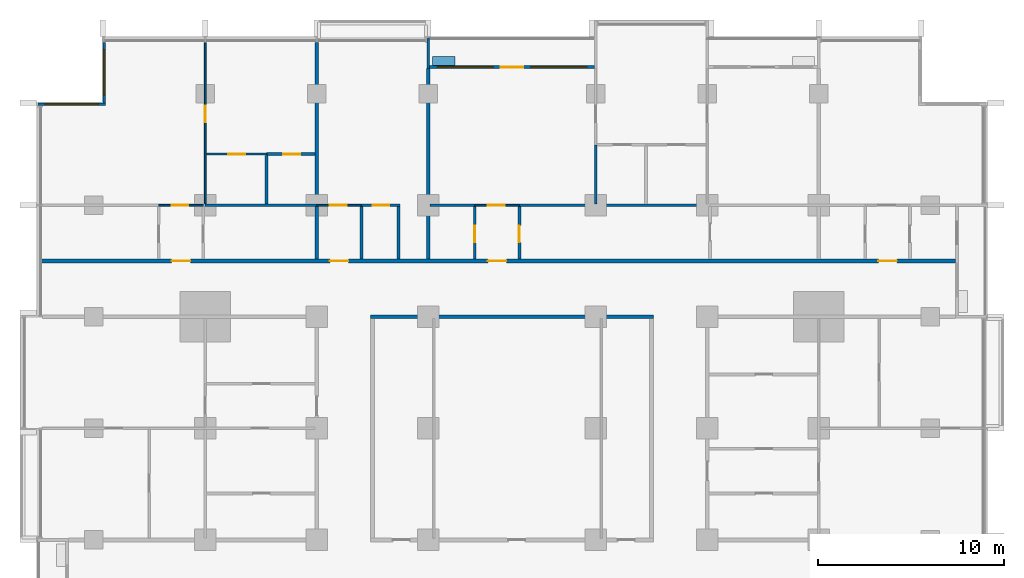
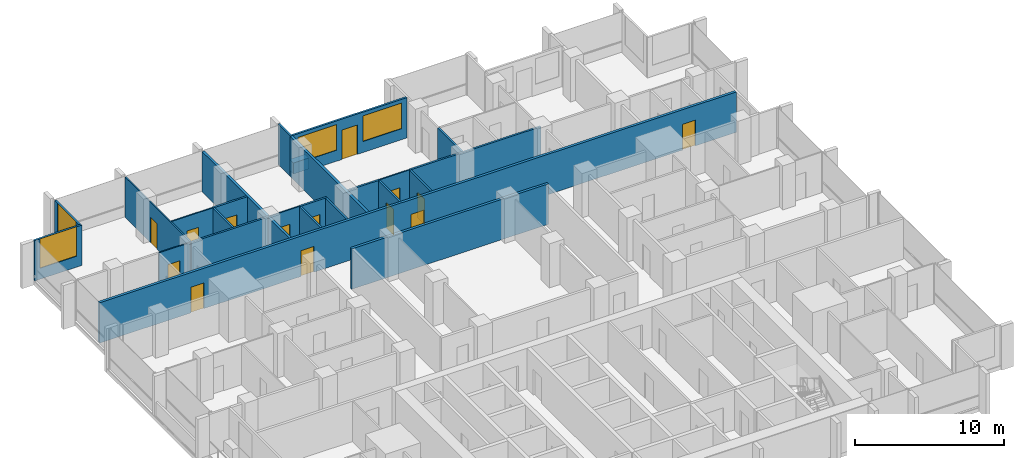
# One storey, part 11 of 19: 26 walls, 14 doors, 4 windows, 18 openings.
"""IFC4 building model written with IfcOpenShell, lengths in metres."""

from ifc_helpers import new_model, si_unit, direction, frame, frame_2d, origin, place, context, subcontext, project, spatial, rectangle, extrude, material, layer, layer_set, type_object, element, fill, save


model = new_model("IFC4")

# Units and contexts
model_context = context("Model", 3, precision=1e-05, world=origin(), true_north=direction((0.0, 1.0)))
body_context = subcontext(model_context, "Body", "Model", "MODEL_VIEW")
ifc_project = project(units=[si_unit("LENGTHUNIT", "METRE"), si_unit("AREAUNIT", "SQUARE_METRE"), si_unit("VOLUMEUNIT", "CUBIC_METRE"), si_unit("PLANEANGLEUNIT", "RADIAN"), si_unit("MASSUNIT", "GRAM", prefix="KILO")], contexts=[model_context])

# Site, building, storey
site_placement = place(None, origin())
site = spatial("IfcSite", under=ifc_project, at=site_placement, CompositionType="ELEMENT")
building_placement = place(site_placement, origin())
building = spatial("IfcBuilding", under=site, at=building_placement, Name="Finial Court Residences", CompositionType="ELEMENT")
storey_placement = place(building_placement, frame((0.0, 0.0, 88.300048828125)))
storey = spatial("IfcBuildingStorey", under=building, at=storey_placement, Name="L21", CompositionType="ELEMENT", Elevation=88.300048828125)

# Walls
ifc_material_1 = material(Name="Gypsum board")
ifc_layer_1 = layer(ifc_material_1, 0.02490234375)
ifc_material_2 = material(Name="Acoustic mineral wool in double frame")
ifc_layer_2 = layer(ifc_material_2, 0.14990234375)
ifc_layer_3 = layer(ifc_material_1, 0.02490234375)
ifc_layer_set_1 = layer_set([ifc_layer_1, ifc_layer_2, ifc_layer_3], Name="Acoustic party wall 200, 1 hour")
wall_type_1 = type_object("IfcWallType", Name="Acoustic party wall 200, 1 hour", PredefinedType="PARTITIONING", material=ifc_layer_set_1)
wall_1_placement = place(storey_placement, frame((-10.5, 10.60009765625, 0.0), z_axis=(0.0, 0.0, 1.0), x_axis=(0.0, 1.0, 0.0)))
element("IfcWall", 1, at=wall_1_placement, inside=storey, type_object=wall_type_1, Name="Partition L21-055", PredefinedType="PARTITIONING", context=body_context, shape_type="SweptSolid", body=[
    extrude(rectangle(XDim=2.824951171875, YDim=0.199951171875, at=frame_2d((1.41259765625, 0.0))), origin(), (0.0, 0.0, 1.0), 3.300048828125),
])
wall_2_placement = place(storey_placement, frame((-10.5, 13.574951171875, 0.0), z_axis=(0.0, 0.0, 1.0), x_axis=(0.0, 1.0, 0.0)))
element("IfcWall", 2, at=wall_2_placement, inside=storey, type_object=wall_type_1, Name="Partition L21-056", PredefinedType="PARTITIONING", context=body_context, shape_type="SweptSolid", body=[
    extrude(rectangle(XDim=8.675048828125, YDim=0.199951171875, at=frame_2d((4.33740234375, 0.0))), origin(), (0.0, 0.0, 1.0), 3.300048828125),
])
wall_3_placement = place(storey_placement, frame((-4.5, 10.60009765625, 0.0), z_axis=(0.0, 0.0, 1.0), x_axis=(0.0, 1.0, 0.0)))
element("IfcWall", 3, at=wall_3_placement, inside=storey, type_object=wall_type_1, Name="Partition L21-060", PredefinedType="PARTITIONING", context=body_context, shape_type="SweptSolid", body=[
    extrude(rectangle(XDim=10.25, YDim=0.199951171875, at=frame_2d((5.125, 0.0))), origin(), (0.0, 0.0, 1.0), 3.300048828125),
])
ifc_layer_4 = layer(ifc_material_1, 0.02490234375)
ifc_layer_5 = layer(ifc_material_2, 0.14990234375)
ifc_layer_6 = layer(ifc_material_1, 0.02490234375)
ifc_layer_set_2 = layer_set([ifc_layer_4, ifc_layer_5, ifc_layer_6], Name="Corridor wall 200, 1 hour")
wall_type_2 = type_object("IfcWallType", Name="Corridor wall 200, 1 hour", PredefinedType="PARTITIONING", material=ifc_layer_set_2)
wall_4_placement = place(storey_placement, frame((-7.60009765625, 7.5, 0.0), z_axis=(0.0, 0.0, 1.0), x_axis=(1.0, 0.0, 0.0)))
element("IfcWall", 4, at=wall_4_placement, inside=storey, type_object=wall_type_2, Name="Partition L21-023", PredefinedType="PARTITIONING", context=body_context, shape_type="SweptSolid", body=[
    extrude(rectangle(XDim=15.2001953125, YDim=0.199951171875, at=frame_2d((7.60009765625, 0.0))), origin(), (0.0, 0.0, 1.0), 3.300048828125),
])

# Wall, openings, doors
wall_5_placement = place(storey_placement, frame((-25.35009765625, 10.5, 0.0), z_axis=(0.0, 0.0, 1.0), x_axis=(1.0, 0.0, 0.0)))
wall_5 = element("IfcWall", 5, at=wall_5_placement, inside=storey, type_object=wall_type_2, Name="Partition L21-025", PredefinedType="PARTITIONING", context=body_context, shape_type="SweptSolid", body=[
    extrude(rectangle(XDim=49.2001953125, YDim=0.199951171875, at=frame_2d((24.60009765625, 0.0))), origin(), (0.0, 0.0, 1.0), 3.300048828125),
])
opening_1_placement = place(wall_5_placement, frame((7.050048828125, 0.0, 0.0)))
opening_1 = element("IfcOpeningElement", 6, at=opening_1_placement, cuts=wall_5, Name="Opening L21-D018", PredefinedType="OPENING", context=body_context, shape_type="SweptSolid", body=[
    extrude(rectangle(XDim=1.0, YDim=2.10009765625, at=frame_2d((0.5, 1.050048828125))), frame((0.0, 0.10986328125, 0.0), z_axis=(0.0, -1.0, 0.0), x_axis=(1.0, 0.0, 0.0)), (0.0, 0.0, 1.0), 0.219970703125),
])
opening_2_placement = place(wall_5_placement, frame((15.550048828125, 0.0, 0.0)))
opening_2 = element("IfcOpeningElement", 7, at=opening_2_placement, cuts=wall_5, Name="Opening L21-D019", PredefinedType="OPENING", context=body_context, shape_type="SweptSolid", body=[
    extrude(rectangle(XDim=1.0, YDim=2.10009765625, at=frame_2d((0.5, 1.050048828125))), frame((0.0, 0.10986328125, 0.0), z_axis=(0.0, -1.0, 0.0), x_axis=(1.0, 0.0, 0.0)), (0.0, 0.0, 1.0), 0.219970703125),
])
opening_3_placement = place(wall_5_placement, frame((24.050048828125, 0.0, 0.0)))
opening_3 = element("IfcOpeningElement", 8, at=opening_3_placement, cuts=wall_5, Name="Opening L21-D020", PredefinedType="OPENING", context=body_context, shape_type="SweptSolid", body=[
    extrude(rectangle(XDim=1.0, YDim=2.10009765625, at=frame_2d((0.5, 1.050048828125))), frame((0.0, 0.10986328125, 0.0), z_axis=(0.0, -1.0, 0.0), x_axis=(1.0, 0.0, 0.0)), (0.0, 0.0, 1.0), 0.219970703125),
])
opening_4_placement = place(wall_5_placement, frame((45.050048828125, 0.0, 0.0)))
opening_4 = element("IfcOpeningElement", 9, at=opening_4_placement, cuts=wall_5, Name="Opening L21-D021", PredefinedType="OPENING", context=body_context, shape_type="SweptSolid", body=[
    extrude(rectangle(XDim=1.0, YDim=2.10009765625, at=frame_2d((0.5, 1.050048828125))), frame((0.0, 0.10986328125, 0.0), z_axis=(0.0, -1.0, 0.0), x_axis=(1.0, 0.0, 0.0)), (0.0, 0.0, 1.0), 0.219970703125),
])
ifc_material_3 = material(Name="Timber door leaf in hollow metal frame", Category="wood")
door_type_1 = type_object("IfcDoorType", Name="Fire door set 1000 x 2100, 30 minutes", OperationType="SINGLE_SWING_LEFT", PredefinedType="DOOR", material=ifc_material_3)
door_1_placement = place(opening_1_placement, origin())
door_1 = element("IfcDoor", 10, at=door_1_placement, inside=storey, type_object=door_type_1, Name="Door L21-D018", OperationType="SINGLE_SWING_RIGHT", OverallHeight=2.10009765625, OverallWidth=1.0, PredefinedType="DOOR", context=body_context, shape_type="SweptSolid", body=[
    extrude(rectangle(XDim=1.0, YDim=2.10009765625, at=frame_2d((0.5, 1.050048828125))), frame((0.0, 0.02490234375, 0.0), z_axis=(0.0, -1.0, 0.0), x_axis=(1.0, 0.0, 0.0)), (0.0, 0.0, 1.0), 0.050048828125),
])
fill(opening_1, door_1)
door_2_placement = place(opening_2_placement, origin())
door_2 = element("IfcDoor", 11, at=door_2_placement, inside=storey, type_object=door_type_1, Name="Door L21-D019", OperationType="SINGLE_SWING_RIGHT", OverallHeight=2.10009765625, OverallWidth=1.0, PredefinedType="DOOR", context=body_context, shape_type="SweptSolid", body=[
    extrude(rectangle(XDim=1.0, YDim=2.10009765625, at=frame_2d((0.5, 1.050048828125))), frame((0.0, 0.02490234375, 0.0), z_axis=(0.0, -1.0, 0.0), x_axis=(1.0, 0.0, 0.0)), (0.0, 0.0, 1.0), 0.050048828125),
])
fill(opening_2, door_2)
door_3_placement = place(opening_3_placement, origin())
door_3 = element("IfcDoor", 12, at=door_3_placement, inside=storey, type_object=door_type_1, Name="Door L21-D020", OperationType="SINGLE_SWING_RIGHT", OverallHeight=2.10009765625, OverallWidth=1.0, PredefinedType="DOOR", context=body_context, shape_type="SweptSolid", body=[
    extrude(rectangle(XDim=1.0, YDim=2.10009765625, at=frame_2d((0.5, 1.050048828125))), frame((0.0, 0.02490234375, 0.0), z_axis=(0.0, -1.0, 0.0), x_axis=(1.0, 0.0, 0.0)), (0.0, 0.0, 1.0), 0.050048828125),
])
fill(opening_3, door_3)
door_4_placement = place(opening_4_placement, origin())
door_4 = element("IfcDoor", 13, at=door_4_placement, inside=storey, type_object=door_type_1, Name="Door L21-D021", OperationType="SINGLE_SWING_LEFT", OverallHeight=2.10009765625, OverallWidth=1.0, PredefinedType="DOOR", context=body_context, shape_type="SweptSolid", body=[
    extrude(rectangle(XDim=1.0, YDim=2.10009765625, at=frame_2d((0.5, 1.050048828125))), frame((0.0, 0.02490234375, 0.0), z_axis=(0.0, -1.0, 0.0), x_axis=(1.0, 0.0, 0.0)), (0.0, 0.0, 1.0), 0.050048828125),
])
fill(opening_4, door_4)

# Wall, opening, door
ifc_layer_7 = layer(ifc_material_1, 0.012451171875)
ifc_material_4 = material(Name="Mineral wool in light-gauge frame")
ifc_layer_8 = layer(ifc_material_4, 0.074951171875)
ifc_layer_9 = layer(ifc_material_1, 0.012451171875)
ifc_layer_set_3 = layer_set([ifc_layer_7, ifc_layer_8, ifc_layer_9], Name="Gypsum board partition 100")
wall_type_3 = type_object("IfcWallType", Name="Gypsum board partition 100", PredefinedType="PARTITIONING", material=ifc_layer_set_3)
wall_6_placement = place(storey_placement, frame((-19.0, 13.5, 0.0), z_axis=(0.0, 0.0, 1.0), x_axis=(1.0, 0.0, 0.0)))
wall_6 = element("IfcWall", 14, at=wall_6_placement, inside=storey, type_object=wall_type_3, Name="Partition L21-026", PredefinedType="PARTITIONING", context=body_context, shape_type="SweptSolid", body=[
    extrude(rectangle(XDim=2.39990234375, YDim=0.10009765625, at=frame_2d((1.199951171875, 0.0))), origin(), (0.0, 0.0, 1.0), 3.300048828125),
])
opening_5_placement = place(wall_6_placement, frame((0.699951171875, 0.0, 0.0)))
opening_5 = element("IfcOpeningElement", 15, at=opening_5_placement, cuts=wall_6, Name="Opening L21-D022", PredefinedType="OPENING", context=body_context, shape_type="SweptSolid", body=[
    extrude(rectangle(XDim=0.89990234375, YDim=2.10009765625, at=frame_2d((0.449951171875, 1.050048828125))), frame((0.0, 0.06005859375, 0.0), z_axis=(0.0, -1.0, 0.0), x_axis=(1.0, 0.0, 0.0)), (0.0, 0.0, 1.0), 0.1201171875),
])
ifc_material_5 = material(Name="Timber door leaf in timber frame", Category="wood")
door_type_2 = type_object("IfcDoorType", Name="Door set 900 x 2100", OperationType="SINGLE_SWING_LEFT", PredefinedType="DOOR", material=ifc_material_5)
door_5_placement = place(opening_5_placement, origin())
door_5 = element("IfcDoor", 16, at=door_5_placement, inside=storey, type_object=door_type_2, Name="Door L21-D022", OperationType="SINGLE_SWING_RIGHT", OverallHeight=2.10009765625, OverallWidth=0.89990234375, PredefinedType="DOOR", context=body_context, shape_type="SweptSolid", body=[
    extrude(rectangle(XDim=0.89990234375, YDim=2.10009765625, at=frame_2d((0.449951171875, 1.050048828125))), frame((0.0, 0.02490234375, 0.0), z_axis=(0.0, -1.0, 0.0), x_axis=(1.0, 0.0, 0.0)), (0.0, 0.0, 1.0), 0.050048828125),
])
fill(opening_5, door_5)

wall_7_placement = place(storey_placement, frame((-10.5, 13.5, 0.0), z_axis=(0.0, 0.0, 1.0), x_axis=(1.0, 0.0, 0.0)))
wall_7 = element("IfcWall", 17, at=wall_7_placement, inside=storey, type_object=wall_type_3, Name="Partition L21-027", PredefinedType="PARTITIONING", context=body_context, shape_type="SweptSolid", body=[
    extrude(rectangle(XDim=2.39990234375, YDim=0.10009765625, at=frame_2d((1.199951171875, 0.0))), origin(), (0.0, 0.0, 1.0), 3.300048828125),
])
opening_6_placement = place(wall_7_placement, frame((0.699951171875, 0.0, 0.0)))
opening_6 = element("IfcOpeningElement", 18, at=opening_6_placement, cuts=wall_7, Name="Opening L21-D023", PredefinedType="OPENING", context=body_context, shape_type="SweptSolid", body=[
    extrude(rectangle(XDim=0.89990234375, YDim=2.10009765625, at=frame_2d((0.449951171875, 1.050048828125))), frame((0.0, 0.06005859375, 0.0), z_axis=(0.0, -1.0, 0.0), x_axis=(1.0, 0.0, 0.0)), (0.0, 0.0, 1.0), 0.1201171875),
])
door_6_placement = place(opening_6_placement, origin())
door_6 = element("IfcDoor", 19, at=door_6_placement, inside=storey, type_object=door_type_2, Name="Door L21-D023", OperationType="SINGLE_SWING_LEFT", OverallHeight=2.10009765625, OverallWidth=0.89990234375, PredefinedType="DOOR", context=body_context, shape_type="SweptSolid", body=[
    extrude(rectangle(XDim=0.89990234375, YDim=2.10009765625, at=frame_2d((0.449951171875, 1.050048828125))), frame((0.0, 0.02490234375, 0.0), z_axis=(0.0, -1.0, 0.0), x_axis=(1.0, 0.0, 0.0)), (0.0, 0.0, 1.0), 0.050048828125),
])
fill(opening_6, door_6)

wall_8_placement = place(storey_placement, frame((-2.0, 13.5, 0.0), z_axis=(0.0, 0.0, 1.0), x_axis=(1.0, 0.0, 0.0)))
wall_8 = element("IfcWall", 20, at=wall_8_placement, inside=storey, type_object=wall_type_3, Name="Partition L21-028", PredefinedType="PARTITIONING", context=body_context, shape_type="SweptSolid", body=[
    extrude(rectangle(XDim=2.39990234375, YDim=0.10009765625, at=frame_2d((1.199951171875, 0.0))), origin(), (0.0, 0.0, 1.0), 3.300048828125),
])
opening_7_placement = place(wall_8_placement, frame((0.699951171875, 0.0, 0.0)))
opening_7 = element("IfcOpeningElement", 21, at=opening_7_placement, cuts=wall_8, Name="Opening L21-D024", PredefinedType="OPENING", context=body_context, shape_type="SweptSolid", body=[
    extrude(rectangle(XDim=0.89990234375, YDim=2.10009765625, at=frame_2d((0.449951171875, 1.050048828125))), frame((0.0, 0.06005859375, 0.0), z_axis=(0.0, -1.0, 0.0), x_axis=(1.0, 0.0, 0.0)), (0.0, 0.0, 1.0), 0.1201171875),
])
door_7_placement = place(opening_7_placement, origin())
door_7 = element("IfcDoor", 22, at=door_7_placement, inside=storey, type_object=door_type_2, Name="Door L21-D024", OperationType="SINGLE_SWING_LEFT", OverallHeight=2.10009765625, OverallWidth=0.89990234375, PredefinedType="DOOR", context=body_context, shape_type="SweptSolid", body=[
    extrude(rectangle(XDim=0.89990234375, YDim=2.10009765625, at=frame_2d((0.449951171875, 1.050048828125))), frame((0.0, 0.02490234375, 0.0), z_axis=(0.0, -1.0, 0.0), x_axis=(1.0, 0.0, 0.0)), (0.0, 0.0, 1.0), 0.050048828125),
])
fill(opening_7, door_7)

wall_9_placement = place(storey_placement, frame((-16.449951171875, 16.25, 0.0), z_axis=(0.0, 0.0, 1.0), x_axis=(1.0, 0.0, 0.0)))
wall_9 = element("IfcWall", 23, at=wall_9_placement, inside=storey, type_object=wall_type_3, Name="Partition L21-037", PredefinedType="PARTITIONING", context=body_context, shape_type="SweptSolid", body=[
    extrude(rectangle(XDim=3.25, YDim=0.10009765625, at=frame_2d((1.625, 0.0))), origin(), (0.0, 0.0, 1.0), 3.300048828125),
])
opening_8_placement = place(wall_9_placement, frame((1.199951171875, 0.0, 0.0)))
opening_8 = element("IfcOpeningElement", 24, at=opening_8_placement, cuts=wall_9, Name="Opening L21-D027", PredefinedType="OPENING", context=body_context, shape_type="SweptSolid", body=[
    extrude(rectangle(XDim=0.89990234375, YDim=2.10009765625, at=frame_2d((0.449951171875, 1.050048828125))), frame((0.0, 0.06005859375, 0.0), z_axis=(0.0, -1.0, 0.0), x_axis=(1.0, 0.0, 0.0)), (0.0, 0.0, 1.0), 0.1201171875),
])
door_8_placement = place(opening_8_placement, origin())
door_8 = element("IfcDoor", 25, at=door_8_placement, inside=storey, type_object=door_type_2, Name="Door L21-D027", OperationType="SINGLE_SWING_LEFT", OverallHeight=2.10009765625, OverallWidth=0.89990234375, PredefinedType="DOOR", context=body_context, shape_type="SweptSolid", body=[
    extrude(rectangle(XDim=0.89990234375, YDim=2.10009765625, at=frame_2d((0.449951171875, 1.050048828125))), frame((0.0, 0.02490234375, 0.0), z_axis=(0.0, -1.0, 0.0), x_axis=(1.0, 0.0, 0.0)), (0.0, 0.0, 1.0), 0.050048828125),
])
fill(opening_8, door_8)

wall_10_placement = place(storey_placement, frame((-16.5, 13.574951171875, 0.0), z_axis=(0.0, 0.0, 1.0), x_axis=(0.0, 1.0, 0.0)))
wall_10 = element("IfcWall", 26, at=wall_10_placement, inside=storey, type_object=wall_type_3, Name="Partition L21-046", PredefinedType="PARTITIONING", context=body_context, shape_type="SweptSolid", body=[
    extrude(rectangle(XDim=8.675048828125, YDim=0.10009765625, at=frame_2d((4.33740234375, 0.0))), origin(), (0.0, 0.0, 1.0), 3.300048828125),
])
opening_9_placement = place(wall_10_placement, frame((4.375, 0.0, 0.0)))
opening_9 = element("IfcOpeningElement", 27, at=opening_9_placement, cuts=wall_10, Name="Opening L21-D035", PredefinedType="OPENING", context=body_context, shape_type="SweptSolid", body=[
    extrude(rectangle(XDim=0.89990234375, YDim=2.10009765625, at=frame_2d((0.449951171875, 1.050048828125))), frame((0.0, 0.06005859375, 0.0), z_axis=(0.0, -1.0, 0.0), x_axis=(1.0, 0.0, 0.0)), (0.0, 0.0, 1.0), 0.1201171875),
])
door_9_placement = place(opening_9_placement, origin())
door_9 = element("IfcDoor", 28, at=door_9_placement, inside=storey, type_object=door_type_2, Name="Door L21-D035", OperationType="SINGLE_SWING_RIGHT", OverallHeight=2.10009765625, OverallWidth=0.89990234375, PredefinedType="DOOR", context=body_context, shape_type="SweptSolid", body=[
    extrude(rectangle(XDim=0.89990234375, YDim=2.10009765625, at=frame_2d((0.449951171875, 1.050048828125))), frame((0.0, 0.02490234375, 0.0), z_axis=(0.0, -1.0, 0.0), x_axis=(1.0, 0.0, 0.0)), (0.0, 0.0, 1.0), 0.050048828125),
])
fill(opening_9, door_9)

# Wall
ifc_material_6 = material(Name="Moisture-resistant gypsum board")
ifc_layer_10 = layer(ifc_material_6, 0.012451171875)
ifc_layer_11 = layer(ifc_material_4, 0.125)
ifc_layer_12 = layer(ifc_material_6, 0.012451171875)
ifc_layer_set_4 = layer_set([ifc_layer_10, ifc_layer_11, ifc_layer_12], Name="Gypsum board wet-area partition 150")
wall_type_4 = type_object("IfcWallType", Name="Gypsum board wet-area partition 150", PredefinedType="PARTITIONING", material=ifc_layer_set_4)
wall_11_placement = place(storey_placement, frame((-16.5, 13.5, 0.0), z_axis=(0.0, 0.0, 1.0), x_axis=(1.0, 0.0, 0.0)))
element("IfcWall", 29, at=wall_11_placement, inside=storey, type_object=wall_type_4, Name="Partition L21-031", PredefinedType="PARTITIONING", context=body_context, shape_type="SweptSolid", body=[
    extrude(rectangle(XDim=6.0, YDim=0.14990234375, at=frame_2d((3.0, 0.0))), origin(), (0.0, 0.0, 1.0), 3.300048828125),
])

# Wall, opening, door
wall_12_placement = place(storey_placement, frame((-8.10009765625, 13.5, 0.0), z_axis=(0.0, 0.0, 1.0), x_axis=(1.0, 0.0, 0.0)))
wall_12 = element("IfcWall", 30, at=wall_12_placement, inside=storey, type_object=wall_type_4, Name="Partition L21-032", PredefinedType="PARTITIONING", context=body_context, shape_type="SweptSolid", body=[
    extrude(rectangle(XDim=2.0751953125, YDim=0.14990234375, at=frame_2d((1.03759765625, 0.0))), origin(), (0.0, 0.0, 1.0), 3.300048828125),
])
opening_10_placement = place(wall_12_placement, frame((0.60009765625, 0.0, 0.0)))
opening_10 = element("IfcOpeningElement", 31, at=opening_10_placement, cuts=wall_12, Name="Opening L21-D026", PredefinedType="OPENING", context=body_context, shape_type="SweptSolid", body=[
    extrude(rectangle(XDim=0.89990234375, YDim=2.10009765625, at=frame_2d((0.449951171875, 1.050048828125))), frame((0.0, 0.0849609375, 0.0), z_axis=(0.0, -1.0, 0.0), x_axis=(1.0, 0.0, 0.0)), (0.0, 0.0, 1.0), 0.169921875),
])
door_10_placement = place(opening_10_placement, origin())
door_10 = element("IfcDoor", 32, at=door_10_placement, inside=storey, type_object=door_type_2, Name="Door L21-D026", OperationType="SINGLE_SWING_RIGHT", OverallHeight=2.10009765625, OverallWidth=0.89990234375, PredefinedType="DOOR", context=body_context, shape_type="SweptSolid", body=[
    extrude(rectangle(XDim=0.89990234375, YDim=2.10009765625, at=frame_2d((0.449951171875, 1.050048828125))), frame((0.0, 0.02490234375, 0.0), z_axis=(0.0, -1.0, 0.0), x_axis=(1.0, 0.0, 0.0)), (0.0, 0.0, 1.0), 0.050048828125),
])
fill(opening_10, door_10)

# Walls
wall_13_placement = place(storey_placement, frame((-4.39990234375, 13.5, 0.0), z_axis=(0.0, 0.0, 1.0), x_axis=(1.0, 0.0, 0.0)))
element("IfcWall", 33, at=wall_13_placement, inside=storey, type_object=wall_type_4, Name="Partition L21-033", PredefinedType="PARTITIONING", context=body_context, shape_type="SweptSolid", body=[
    extrude(rectangle(XDim=2.39990234375, YDim=0.14990234375, at=frame_2d((1.199951171875, 0.0))), origin(), (0.0, 0.0, 1.0), 3.300048828125),
])
wall_14_placement = place(storey_placement, frame((0.39990234375, 13.5, 0.0), z_axis=(0.0, 0.0, 1.0), x_axis=(1.0, 0.0, 0.0)))
element("IfcWall", 34, at=wall_14_placement, inside=storey, type_object=wall_type_4, Name="Partition L21-034", PredefinedType="PARTITIONING", context=body_context, shape_type="SweptSolid", body=[
    extrude(rectangle(XDim=10.10009765625, YDim=0.14990234375, at=frame_2d((5.050048828125, 0.0))), origin(), (0.0, 0.0, 1.0), 3.300048828125),
])

# Wall, opening, door
wall_15_placement = place(storey_placement, frame((-13.199951171875, 16.25, 0.0), z_axis=(0.0, 0.0, 1.0), x_axis=(1.0, 0.0, 0.0)))
wall_15 = element("IfcWall", 35, at=wall_15_placement, inside=storey, type_object=wall_type_4, Name="Partition L21-038", PredefinedType="PARTITIONING", context=body_context, shape_type="SweptSolid", body=[
    extrude(rectangle(XDim=2.599853515625, YDim=0.14990234375, at=frame_2d((1.2998046875, 0.0))), origin(), (0.0, 0.0, 1.0), 3.300048828125),
])
opening_11_placement = place(wall_15_placement, frame((0.89990234375, 0.0, 0.0)))
opening_11 = element("IfcOpeningElement", 36, at=opening_11_placement, cuts=wall_15, Name="Opening L21-D028", PredefinedType="OPENING", context=body_context, shape_type="SweptSolid", body=[
    extrude(rectangle(XDim=0.89990234375, YDim=2.10009765625, at=frame_2d((0.449951171875, 1.050048828125))), frame((0.0, 0.0849609375, 0.0), z_axis=(0.0, -1.0, 0.0), x_axis=(1.0, 0.0, 0.0)), (0.0, 0.0, 1.0), 0.169921875),
])
door_11_placement = place(opening_11_placement, origin())
door_11 = element("IfcDoor", 37, at=door_11_placement, inside=storey, type_object=door_type_2, Name="Door L21-D028", OperationType="SINGLE_SWING_RIGHT", OverallHeight=2.10009765625, OverallWidth=0.89990234375, PredefinedType="DOOR", context=body_context, shape_type="SweptSolid", body=[
    extrude(rectangle(XDim=0.89990234375, YDim=2.10009765625, at=frame_2d((0.449951171875, 1.050048828125))), frame((0.0, 0.02490234375, 0.0), z_axis=(0.0, -1.0, 0.0), x_axis=(1.0, 0.0, 0.0)), (0.0, 0.0, 1.0), 0.050048828125),
])
fill(opening_11, door_11)

# Walls
wall_16_placement = place(storey_placement, frame((-13.199951171875, 13.574951171875, 0.0), z_axis=(0.0, 0.0, 1.0), x_axis=(0.0, 1.0, 0.0)))
element("IfcWall", 38, at=wall_16_placement, inside=storey, type_object=wall_type_4, Name="Partition L21-053", PredefinedType="PARTITIONING", context=body_context, shape_type="SweptSolid", body=[
    extrude(rectangle(XDim=2.60009765625, YDim=0.14990234375, at=frame_2d((1.300048828125, 0.0))), origin(), (0.0, 0.0, 1.0), 3.300048828125),
])
for number, where, z_axis, x_axis, name in (
    (39, (-8.10009765625, 10.60009765625, 0.0), (0.0, 0.0, 1.0), (0.0, 1.0, 0.0), "Partition L21-057"),
    (40, (-6.10009765625, 10.60009765625, 0.0), (0.0, 0.0, 1.0), (0.0, 1.0, 0.0), "Partition L21-059"),
):
    element("IfcWall", number, at=place(storey_placement, frame(where, z_axis=z_axis, x_axis=x_axis)), inside=storey, type_object=wall_type_4, Name=name, PredefinedType="PARTITIONING", context=body_context, shape_type="SweptSolid", body=[
        extrude(rectangle(XDim=2.824951171875, YDim=0.14990234375, at=frame_2d((1.41259765625, 0.0))), origin(), (0.0, 0.0, 1.0), 3.300048828125),
    ])

# Wall, opening, door
wall_17_placement = place(storey_placement, frame((-2.0, 10.60009765625, 0.0), z_axis=(0.0, 0.0, 1.0), x_axis=(0.0, 1.0, 0.0)))
wall_17 = element("IfcWall", 41, at=wall_17_placement, inside=storey, type_object=wall_type_4, Name="Partition L21-062", PredefinedType="PARTITIONING", context=body_context, shape_type="SweptSolid", body=[
    extrude(rectangle(XDim=2.824951171875, YDim=0.14990234375, at=frame_2d((1.41259765625, 0.0))), origin(), (0.0, 0.0, 1.0), 3.300048828125),
])
opening_12_placement = place(wall_17_placement, frame((0.89990234375, 0.0, 0.0)))
opening_12 = element("IfcOpeningElement", 42, at=opening_12_placement, cuts=wall_17, Name="Opening L21-D040", PredefinedType="OPENING", context=body_context, shape_type="SweptSolid", body=[
    extrude(rectangle(XDim=0.89990234375, YDim=2.10009765625, at=frame_2d((0.449951171875, 1.050048828125))), frame((0.0, 0.0849609375, 0.0), z_axis=(0.0, -1.0, 0.0), x_axis=(1.0, 0.0, 0.0)), (0.0, 0.0, 1.0), 0.169921875),
])
door_12_placement = place(opening_12_placement, origin())
door_12 = element("IfcDoor", 43, at=door_12_placement, inside=storey, type_object=door_type_2, Name="Door L21-D040", OperationType="SINGLE_SWING_LEFT", OverallHeight=2.10009765625, OverallWidth=0.89990234375, PredefinedType="DOOR", context=body_context, shape_type="SweptSolid", body=[
    extrude(rectangle(XDim=0.89990234375, YDim=2.10009765625, at=frame_2d((0.449951171875, 1.050048828125))), frame((0.0, 0.02490234375, 0.0), z_axis=(0.0, -1.0, 0.0), x_axis=(1.0, 0.0, 0.0)), (0.0, 0.0, 1.0), 0.050048828125),
])
fill(opening_12, door_12)

wall_18_placement = place(storey_placement, frame((0.39990234375, 10.60009765625, 0.0), z_axis=(0.0, 0.0, 1.0), x_axis=(0.0, 1.0, 0.0)))
wall_18 = element("IfcWall", 44, at=wall_18_placement, inside=storey, type_object=wall_type_4, Name="Partition L21-063", PredefinedType="PARTITIONING", context=body_context, shape_type="SweptSolid", body=[
    extrude(rectangle(XDim=2.824951171875, YDim=0.14990234375, at=frame_2d((1.41259765625, 0.0))), origin(), (0.0, 0.0, 1.0), 3.300048828125),
])
opening_13_placement = place(wall_18_placement, frame((0.89990234375, 0.0, 0.0)))
opening_13 = element("IfcOpeningElement", 45, at=opening_13_placement, cuts=wall_18, Name="Opening L21-D041", PredefinedType="OPENING", context=body_context, shape_type="SweptSolid", body=[
    extrude(rectangle(XDim=0.89990234375, YDim=2.10009765625, at=frame_2d((0.449951171875, 1.050048828125))), frame((0.0, 0.0849609375, 0.0), z_axis=(0.0, -1.0, 0.0), x_axis=(1.0, 0.0, 0.0)), (0.0, 0.0, 1.0), 0.169921875),
])
door_13_placement = place(opening_13_placement, origin())
door_13 = element("IfcDoor", 46, at=door_13_placement, inside=storey, type_object=door_type_2, Name="Door L21-D041", OperationType="SINGLE_SWING_LEFT", OverallHeight=2.10009765625, OverallWidth=0.89990234375, PredefinedType="DOOR", context=body_context, shape_type="SweptSolid", body=[
    extrude(rectangle(XDim=0.89990234375, YDim=2.10009765625, at=frame_2d((0.449951171875, 1.050048828125))), frame((0.0, 0.02490234375, 0.0), z_axis=(0.0, -1.0, 0.0), x_axis=(1.0, 0.0, 0.0)), (0.0, 0.0, 1.0), 0.050048828125),
])
fill(opening_13, door_13)

# Wall
wall_19_placement = place(storey_placement, frame((4.5, 13.574951171875, 0.0), z_axis=(0.0, 0.0, 1.0), x_axis=(0.0, 1.0, 0.0)))
element("IfcWall", 47, at=wall_19_placement, inside=storey, type_object=wall_type_4, Name="Partition L21-065", PredefinedType="PARTITIONING", context=body_context, shape_type="SweptSolid", body=[
    extrude(rectangle(XDim=3.175048828125, YDim=0.14990234375, at=frame_2d((1.58740234375, 0.0))), origin(), (0.0, 0.0, 1.0), 3.300048828125),
])

# Wall, opening, window
ifc_material_7 = material(Name="Natural limestone", Category="masonry")
ifc_layer_13 = layer(ifc_material_7, 0.14990234375)
ifc_layer_set_5 = layer_set([ifc_layer_13], Name="Limestone clad wall 150")
wall_type_5 = type_object("IfcWallType", Name="Limestone clad wall 150", PredefinedType="SOLIDWALL", material=ifc_layer_set_5)
wall_20_placement = place(storey_placement, frame((-21.925048828125, 19.0, 0.0), z_axis=(0.0, 0.0, 1.0), x_axis=(0.0, 1.0, 0.0)))
wall_20 = element("IfcWall", 48, at=wall_20_placement, inside=storey, type_object=wall_type_5, Name="E-L21-NWW18", PredefinedType="SOLIDWALL", context=body_context, shape_type="SweptSolid", body=[
    extrude(rectangle(XDim=3.25, YDim=0.14990234375, at=frame_2d((1.625, 0.0))), origin(), (0.0, 0.0, 1.0), 3.300048828125),
])
opening_14_placement = place(wall_20_placement, frame((0.39990234375, 0.0, 0.89990234375)))
opening_14 = element("IfcOpeningElement", 49, at=opening_14_placement, cuts=wall_20, Name="Opening WE21-05", PredefinedType="OPENING", context=body_context, shape_type="SweptSolid", body=[
    extrude(rectangle(XDim=2.449951171875, YDim=2.39990234375, at=frame_2d((1.22509765625, 1.199951171875))), frame((0.0, 0.0849609375, 0.0), z_axis=(0.0, -1.0, 0.0), x_axis=(1.0, 0.0, 0.0)), (0.0, 0.0, 1.0), 0.169921875),
])
ifc_material_8 = material(Name="Clear low-e glass", Category="glass")
window_type_1 = type_object("IfcWindowType", Name="Corner window 2450 x 2400", PartitioningType="SINGLE_PANEL", PredefinedType="WINDOW", material=ifc_material_8)
window_1_placement = place(opening_14_placement, origin())
window_1 = element("IfcWindow", 50, at=window_1_placement, inside=storey, type_object=window_type_1, Name="E-L21-NWW18-W1", OverallHeight=2.39990234375, OverallWidth=2.449951171875, PartitioningType="SINGLE_PANEL", PredefinedType="WINDOW", context=body_context, shape_type="SweptSolid", body=[
    extrude(rectangle(XDim=2.449951171875, YDim=2.39990234375, at=frame_2d((1.22509765625, 1.199951171875))), frame((0.0, 0.030029296875, 0.0), z_axis=(0.0, -1.0, 0.0), x_axis=(1.0, 0.0, 0.0)), (0.0, 0.0, 1.0), 0.06005859375),
])
fill(opening_14, window_1)

wall_21_placement = place(storey_placement, frame((-25.5, 18.925048828125, 0.0), z_axis=(0.0, 0.0, 1.0), x_axis=(1.0, 0.0, 0.0)))
wall_21 = element("IfcWall", 51, at=wall_21_placement, inside=storey, type_object=wall_type_5, Name="E-L21-NWN19", PredefinedType="SOLIDWALL", context=body_context, shape_type="SweptSolid", body=[
    extrude(rectangle(XDim=3.64990234375, YDim=0.14990234375, at=frame_2d((1.824951171875, 0.0))), origin(), (0.0, 0.0, 1.0), 3.300048828125),
])
opening_15_placement = place(wall_21_placement, frame((0.39990234375, 0.0, 0.89990234375)))
opening_15 = element("IfcOpeningElement", 52, at=opening_15_placement, cuts=wall_21, Name="Opening WE21-06", PredefinedType="OPENING", context=body_context, shape_type="SweptSolid", body=[
    extrude(rectangle(XDim=2.85009765625, YDim=2.39990234375, at=frame_2d((1.425048828125, 1.199951171875))), frame((0.0, 0.0849609375, 0.0), z_axis=(0.0, -1.0, 0.0), x_axis=(1.0, 0.0, 0.0)), (0.0, 0.0, 1.0), 0.169921875),
])
window_type_2 = type_object("IfcWindowType", Name="Corner window 2850 x 2400", PartitioningType="SINGLE_PANEL", PredefinedType="WINDOW", material=ifc_material_8)
window_2_placement = place(opening_15_placement, origin())
window_2 = element("IfcWindow", 53, at=window_2_placement, inside=storey, type_object=window_type_2, Name="E-L21-NWN19-W1", OverallHeight=2.39990234375, OverallWidth=2.85009765625, PartitioningType="SINGLE_PANEL", PredefinedType="WINDOW", context=body_context, shape_type="SweptSolid", body=[
    extrude(rectangle(XDim=2.85009765625, YDim=2.39990234375, at=frame_2d((1.425048828125, 1.199951171875))), frame((0.0, 0.030029296875, 0.0), z_axis=(0.0, -1.0, 0.0), x_axis=(1.0, 0.0, 0.0)), (0.0, 0.0, 1.0), 0.06005859375),
])
fill(opening_15, window_2)

# Wall
wall_22_placement = place(storey_placement, frame((-4.5, 20.85009765625, 0.0), z_axis=(0.0, 0.0, 1.0), x_axis=(0.0, 1.0, 0.0)))
element("IfcWall", 54, at=wall_22_placement, inside=storey, type_object=wall_type_5, Name="E-L21-BALN4-P1", PredefinedType="SOLIDWALL", context=body_context, shape_type="SweptSolid", body=[
    extrude(rectangle(XDim=1.64990234375, YDim=0.14990234375, at=frame_2d((0.824951171875, 0.0))), origin(), (0.0, 0.0, 1.0), 3.300048828125),
])

# Wall, openings, door, windows
wall_23_placement = place(storey_placement, frame((-4.425048828125, 20.925048828125, 0.0), z_axis=(0.0, 0.0, 1.0), x_axis=(1.0, 0.0, 0.0)))
wall_23 = element("IfcWall", 55, at=wall_23_placement, inside=storey, type_object=wall_type_5, Name="E-L21-L21-BALN4-W", PredefinedType="SOLIDWALL", context=body_context, shape_type="SweptSolid", body=[
    extrude(rectangle(XDim=8.85009765625, YDim=0.14990234375, at=frame_2d((4.425048828125, 0.0))), origin(), (0.0, 0.0, 1.0), 3.300048828125),
])
opening_16_placement = place(wall_23_placement, frame((3.824951171875, 0.0, 0.0)))
opening_16 = element("IfcOpeningElement", 56, at=opening_16_placement, cuts=wall_23, Name="Opening DE21-01", PredefinedType="OPENING", context=body_context, shape_type="SweptSolid", body=[
    extrude(rectangle(XDim=1.199951171875, YDim=2.39990234375, at=frame_2d((0.60009765625, 1.199951171875))), frame((0.0, 0.0849609375, 0.0), z_axis=(0.0, -1.0, 0.0), x_axis=(1.0, 0.0, 0.0)), (0.0, 0.0, 1.0), 0.169921875),
])
opening_17_placement = place(wall_23_placement, frame((0.41259765625, 0.0, 0.89990234375)))
opening_17 = element("IfcOpeningElement", 57, at=opening_17_placement, cuts=wall_23, Name="Opening WE21-09", PredefinedType="OPENING", context=body_context, shape_type="SweptSolid", body=[
    extrude(rectangle(XDim=3.0, YDim=2.10009765625, at=frame_2d((1.5, 1.050048828125))), frame((0.0, 0.0849609375, 0.0), z_axis=(0.0, -1.0, 0.0), x_axis=(1.0, 0.0, 0.0)), (0.0, 0.0, 1.0), 0.169921875),
])
opening_18_placement = place(wall_23_placement, frame((5.4375, 0.0, 0.89990234375)))
opening_18 = element("IfcOpeningElement", 58, at=opening_18_placement, cuts=wall_23, Name="Opening WE21-10", PredefinedType="OPENING", context=body_context, shape_type="SweptSolid", body=[
    extrude(rectangle(XDim=3.0, YDim=2.10009765625, at=frame_2d((1.5, 1.050048828125))), frame((0.0, 0.0849609375, 0.0), z_axis=(0.0, -1.0, 0.0), x_axis=(1.0, 0.0, 0.0)), (0.0, 0.0, 1.0), 0.169921875),
])
ifc_material_9 = material(Name="Bronze anodised aluminium", Category="aluminium")
door_type_3 = type_object("IfcDoorType", Name="Balcony door 1200 x 2400", OperationType="SINGLE_SWING_LEFT", PredefinedType="DOOR", material=ifc_material_9)
door_14_placement = place(opening_16_placement, origin())
door_14 = element("IfcDoor", 59, at=door_14_placement, inside=storey, type_object=door_type_3, Name="E-L21-L21-BALN4-W-D", OperationType="SINGLE_SWING_RIGHT", OverallHeight=2.39990234375, OverallWidth=1.199951171875, PredefinedType="DOOR", context=body_context, shape_type="SweptSolid", body=[
    extrude(rectangle(XDim=1.199951171875, YDim=2.39990234375, at=frame_2d((0.60009765625, 1.199951171875))), frame((0.0, 0.02490234375, 0.0), z_axis=(0.0, -1.0, 0.0), x_axis=(1.0, 0.0, 0.0)), (0.0, 0.0, 1.0), 0.050048828125),
])
fill(opening_16, door_14)
window_type_3 = type_object("IfcWindowType", Name="Balcony window 3000 x 2100", PartitioningType="SINGLE_PANEL", PredefinedType="WINDOW", material=ifc_material_8)
window_3_placement = place(opening_17_placement, origin())
window_3 = element("IfcWindow", 60, at=window_3_placement, inside=storey, type_object=window_type_3, Name="E-L21-L21-BALN4-W-W1", OverallHeight=2.10009765625, OverallWidth=3.0, PartitioningType="SINGLE_PANEL", PredefinedType="WINDOW", context=body_context, shape_type="SweptSolid", body=[
    extrude(rectangle(XDim=3.0, YDim=2.10009765625, at=frame_2d((1.5, 1.050048828125))), frame((0.0, 0.030029296875, 0.0), z_axis=(0.0, -1.0, 0.0), x_axis=(1.0, 0.0, 0.0)), (0.0, 0.0, 1.0), 0.06005859375),
])
fill(opening_17, window_3)
window_4_placement = place(opening_18_placement, origin())
window_4 = element("IfcWindow", 61, at=window_4_placement, inside=storey, type_object=window_type_3, Name="E-L21-L21-BALN4-W-W2", OverallHeight=2.10009765625, OverallWidth=3.0, PartitioningType="SINGLE_PANEL", PredefinedType="WINDOW", context=body_context, shape_type="SweptSolid", body=[
    extrude(rectangle(XDim=3.0, YDim=2.10009765625, at=frame_2d((1.5, 1.050048828125))), frame((0.0, 0.030029296875, 0.0), z_axis=(0.0, -1.0, 0.0), x_axis=(1.0, 0.0, 0.0)), (0.0, 0.0, 1.0), 0.06005859375),
])
fill(opening_18, window_4)

# Wall
ifc_material_10 = material(Name="Concrete C40/50", Category="concrete")
ifc_layer_14 = layer(ifc_material_10, 0.10009765625)
ifc_material_11 = material(Name="Planting soil", Category="soil")
ifc_layer_15 = layer(ifc_material_11, 0.300048828125)
ifc_layer_16 = layer(ifc_material_10, 0.10009765625)
ifc_layer_set_6 = layer_set([ifc_layer_14, ifc_layer_15, ifc_layer_16], Name="Planter wall, balcony")
wall_type_6 = type_object("IfcWallType", Name="Planter wall, balcony", PredefinedType="USERDEFINED", material=ifc_layer_set_6)
wall_24_placement = place(storey_placement, frame((-4.27490234375, 21.25, 0.0), z_axis=(0.0, 0.0, 1.0), x_axis=(1.0, 0.0, 0.0)))
element("IfcWall", 62, at=wall_24_placement, inside=storey, type_object=wall_type_6, Name="E-L21-BALN4-PL", ObjectType="PLANTER", PredefinedType="USERDEFINED", context=body_context, shape_type="SweptSolid", body=[
    extrude(rectangle(XDim=1.199951171875, YDim=0.5, at=frame_2d((0.60009765625, 0.0))), origin(), (0.0, 0.0, 1.0), 0.89990234375),
])

save(model, "model.ifc")
